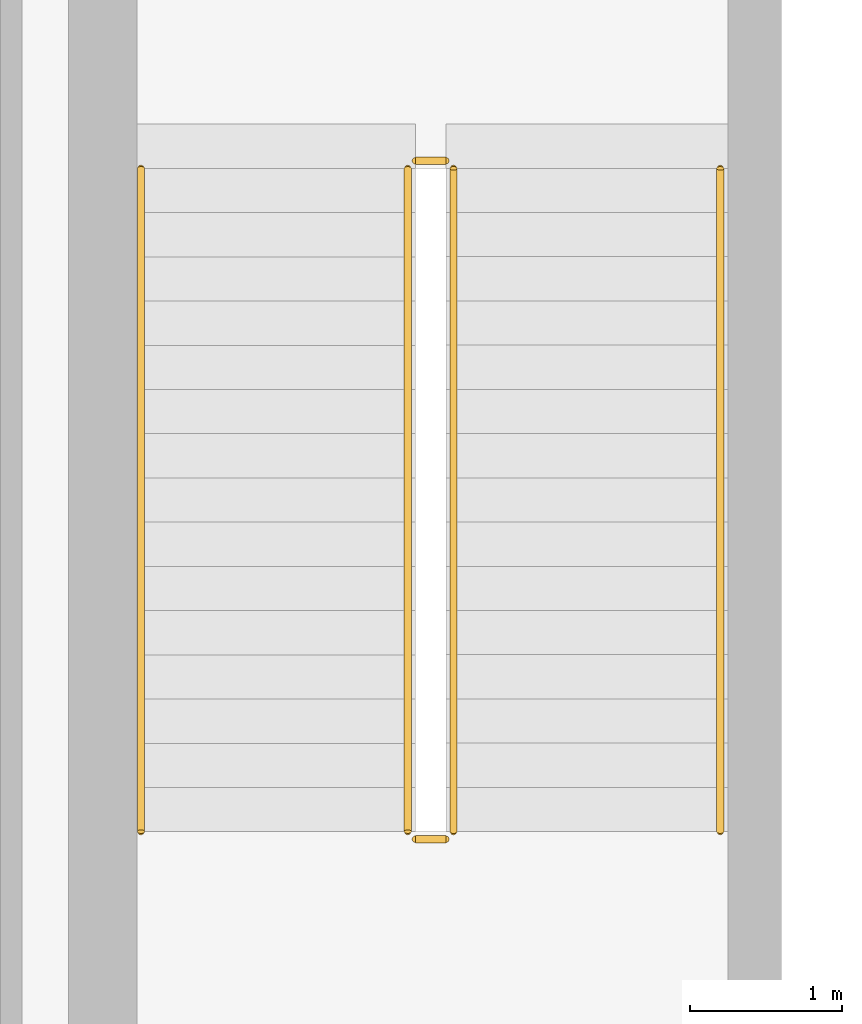
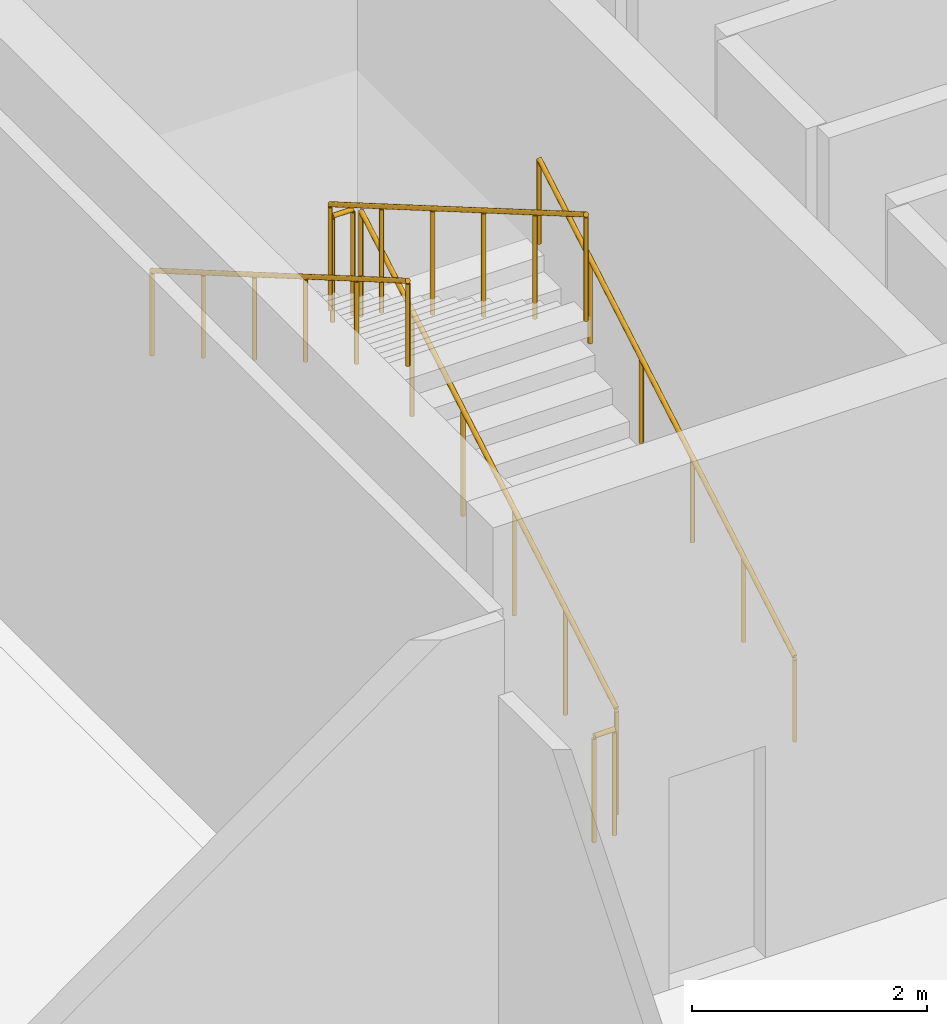
# One storey, part 98 of 98: 6 railings.
"""IFC4 building model written with IfcOpenShell, lengths in metres."""

from ifc_helpers import new_model, si_unit, direction, frame, origin, origin_2d, place, context, subcontext, project, spatial, circle, extrude, material, type_object, element, save


model = new_model("IFC4")

# Units and contexts
model_context = context("Model", 3, precision=1e-05, world=origin(), true_north=direction((0.0, 1.0)))
body_context = subcontext(model_context, "Body", "Model", "MODEL_VIEW")
ifc_project = project(units=[si_unit("LENGTHUNIT", "METRE"), si_unit("AREAUNIT", "SQUARE_METRE"), si_unit("VOLUMEUNIT", "CUBIC_METRE"), si_unit("PLANEANGLEUNIT", "RADIAN"), si_unit("MASSUNIT", "GRAM", prefix="KILO")], contexts=[model_context])

# Site, building, storey
site_placement = place(None, origin())
site = spatial("IfcSite", under=ifc_project, at=site_placement, CompositionType="ELEMENT")
building_placement = place(site_placement, origin())
building = spatial("IfcBuilding", under=site, at=building_placement, Name="Sollismere Congress Hotel", CompositionType="ELEMENT")
storey_placement = place(building_placement, frame((0.0, 0.0, 5.39990234375)))
storey = spatial("IfcBuildingStorey", under=building, at=storey_placement, Name="L01", CompositionType="ELEMENT", Elevation=5.39990234375)

# Railings
ifc_material_1 = material(Name="Steel ASTM A500 Grade C", Category="steel")
railing_type_1 = type_object("IfcRailingType", Name="RL-GRD112", PredefinedType="GUARDRAIL", material=ifc_material_1)
railing_1_placement = place(storey_placement, frame((149.89990234375, 41.85009765625, 0.1689453125)))
element("IfcRailing", 1, at=railing_1_placement, inside=storey, type_object=railing_type_1, Name="RLG-RG-ST-03-L01-1", PredefinedType="GUARDRAIL", context=body_context, shape_type="SweptSolid", body=[
    extrude(circle(Radius=0.02392578125, at=origin_2d()), frame((0.0, 0.0, 1.09619140625), z_axis=(0.0, 0.864311530196, 0.502956835891), x_axis=(-1.0, 0.0, 0.0)), (0.0, 0.0, 1.0), 5.03271484375),
    extrude(circle(Radius=0.02099609375, at=origin_2d()), origin(), (0.0, 0.0, 1.0), 1.072021484375),
    extrude(circle(Radius=0.02099609375, at=origin_2d()), frame((0.0, 0.869873046875, 0.50634765625)), (0.0, 0.0, 1.0), 1.072021484375),
    extrude(circle(Radius=0.02099609375, at=origin_2d()), frame((0.0, 1.739990234375, 1.012451171875)), (0.0, 0.0, 1.0), 1.072021484375),
    extrude(circle(Radius=0.02099609375, at=origin_2d()), frame((0.0, 2.60986328125, 1.518798828125)), (0.0, 0.0, 1.0), 1.072021484375),
    extrude(circle(Radius=0.02099609375, at=origin_2d()), frame((0.0, 3.47998046875, 2.02490234375)), (0.0, 0.0, 1.0), 1.072021484375),
    extrude(circle(Radius=0.02099609375, at=origin_2d()), frame((0.0, 4.349853515625, 2.53125)), (0.0, 0.0, 1.0), 1.072021484375),
])
railing_2_placement = place(storey_placement, frame((149.85009765625, 46.25, 2.7001953125)))
element("IfcRailing", 2, at=railing_2_placement, inside=storey, type_object=railing_type_1, Name="RLG-RG-ST-03-L01-2", PredefinedType="GUARDRAIL", context=body_context, shape_type="SweptSolid", body=[
    extrude(circle(Radius=0.02392578125, at=origin_2d()), frame((0.0, 0.0, 1.09619140625), z_axis=(-1.0, 0.0, 0.0), x_axis=(0.0, -1.0, 0.0)), (0.0, 0.0, 1.0), 0.2001953125),
    extrude(circle(Radius=0.02099609375, at=origin_2d()), origin(), (0.0, 0.0, 1.0), 1.072021484375),
    extrude(circle(Radius=0.02099609375, at=origin_2d()), frame((-0.2001953125, 0.0, 0.0)), (0.0, 0.0, 1.0), 1.072021484375),
])
railing_3_placement = place(storey_placement, frame((149.60009765625, 46.199951171875, 2.868896484375)))
element("IfcRailing", 3, at=railing_3_placement, inside=storey, type_object=railing_type_1, Name="RLG-RG-ST-03-L01-3", PredefinedType="GUARDRAIL", context=body_context, shape_type="SweptSolid", body=[
    extrude(circle(Radius=0.02392578125, at=origin_2d()), frame((0.0, 0.0, 1.09619140625), z_axis=(0.0, -0.864311530196, 0.502956835891), x_axis=(1.0, 0.0, 0.0)), (0.0, 0.0, 1.0), 5.03271484375),
    extrude(circle(Radius=0.02099609375, at=origin_2d()), origin(), (0.0, 0.0, 1.0), 1.072021484375),
    extrude(circle(Radius=0.02099609375, at=origin_2d()), frame((0.0, -0.869873046875, 0.50634765625)), (0.0, 0.0, 1.0), 1.072021484375),
    extrude(circle(Radius=0.02099609375, at=origin_2d()), frame((0.0, -1.739990234375, 1.012451171875)), (0.0, 0.0, 1.0), 1.072021484375),
    extrude(circle(Radius=0.02099609375, at=origin_2d()), frame((0.0, -2.60986328125, 1.518798828125)), (0.0, 0.0, 1.0), 1.072021484375),
    extrude(circle(Radius=0.02099609375, at=origin_2d()), frame((0.0, -3.47998046875, 2.02490234375)), (0.0, 0.0, 1.0), 1.072021484375),
    extrude(circle(Radius=0.02099609375, at=origin_2d()), frame((0.0, -4.349853515625, 2.53125)), (0.0, 0.0, 1.0), 1.072021484375),
])
railing_4_placement = place(storey_placement, frame((149.85009765625, 41.800048828125, 0.0)))
element("IfcRailing", 4, at=railing_4_placement, inside=storey, type_object=railing_type_1, Name="RLG-RG-ST-03-L01-4", PredefinedType="GUARDRAIL", context=body_context, shape_type="SweptSolid", body=[
    extrude(circle(Radius=0.02392578125, at=origin_2d()), frame((0.0, 0.0, 1.09619140625), z_axis=(-1.0, 0.0, 0.0), x_axis=(0.0, -1.0, 0.0)), (0.0, 0.0, 1.0), 0.2001953125),
    extrude(circle(Radius=0.02099609375, at=origin_2d()), origin(), (0.0, 0.0, 1.0), 1.072021484375),
    extrude(circle(Radius=0.02099609375, at=origin_2d()), frame((-0.2001953125, 0.0, 0.0)), (0.0, 0.0, 1.0), 1.072021484375),
])
ifc_material_2 = material(Name="Brushed Architectural Bronze")
railing_type_2 = type_object("IfcRailingType", Name="RL-HND90", PredefinedType="HANDRAIL", material=ifc_material_2)
railing_5_placement = place(storey_placement, frame((151.64990234375, 41.85009765625, 0.3134765625)))
element("IfcRailing", 5, at=railing_5_placement, inside=storey, type_object=railing_type_2, Name="RLG-RH-ST-03-L01-1", PredefinedType="HANDRAIL", context=body_context, shape_type="SweptSolid", body=[
    extrude(circle(Radius=0.02392578125, at=origin_2d()), frame((0.0, 0.0, 0.8759765625), z_axis=(0.0, 0.864311530196, 0.502956835891), x_axis=(-1.0, 0.0, 0.0)), (0.0, 0.0, 1.0), 5.03271484375),
    extrude(circle(Radius=0.02099609375, at=origin_2d()), origin(), (0.0, 0.0, 1.0), 0.851806640625),
    extrude(circle(Radius=0.02099609375, at=origin_2d()), frame((0.0, 0.869873046875, 0.50634765625)), (0.0, 0.0, 1.0), 0.851806640625),
    extrude(circle(Radius=0.02099609375, at=origin_2d()), frame((0.0, 1.739990234375, 1.012451171875)), (0.0, 0.0, 1.0), 0.851806640625),
    extrude(circle(Radius=0.02099609375, at=origin_2d()), frame((0.0, 2.60986328125, 1.518798828125)), (0.0, 0.0, 1.0), 0.851806640625),
    extrude(circle(Radius=0.02099609375, at=origin_2d()), frame((0.0, 3.47998046875, 2.02490234375)), (0.0, 0.0, 1.0), 0.851806640625),
    extrude(circle(Radius=0.02099609375, at=origin_2d()), frame((0.0, 4.349853515625, 2.53125)), (0.0, 0.0, 1.0), 0.851806640625),
])
railing_6_placement = place(storey_placement, frame((147.85009765625, 46.199951171875, 3.013671875)))
element("IfcRailing", 6, at=railing_6_placement, inside=storey, type_object=railing_type_2, Name="RLG-RH-ST-03-L01-2", PredefinedType="HANDRAIL", context=body_context, shape_type="SweptSolid", body=[
    extrude(circle(Radius=0.02392578125, at=origin_2d()), frame((0.0, 0.0, 0.8759765625), z_axis=(0.0, -0.864311530196, 0.502956835891), x_axis=(1.0, 0.0, 0.0)), (0.0, 0.0, 1.0), 5.03271484375),
    extrude(circle(Radius=0.02099609375, at=origin_2d()), origin(), (0.0, 0.0, 1.0), 0.851806640625),
    extrude(circle(Radius=0.02099609375, at=origin_2d()), frame((0.0, -0.869873046875, 0.50634765625)), (0.0, 0.0, 1.0), 0.851806640625),
    extrude(circle(Radius=0.02099609375, at=origin_2d()), frame((0.0, -1.739990234375, 1.012451171875)), (0.0, 0.0, 1.0), 0.851806640625),
    extrude(circle(Radius=0.02099609375, at=origin_2d()), frame((0.0, -2.60986328125, 1.518798828125)), (0.0, 0.0, 1.0), 0.851806640625),
    extrude(circle(Radius=0.02099609375, at=origin_2d()), frame((0.0, -3.47998046875, 2.02490234375)), (0.0, 0.0, 1.0), 0.851806640625),
    extrude(circle(Radius=0.02099609375, at=origin_2d()), frame((0.0, -4.349853515625, 2.53125)), (0.0, 0.0, 1.0), 0.851806640625),
])

save(model, "model.ifc")
